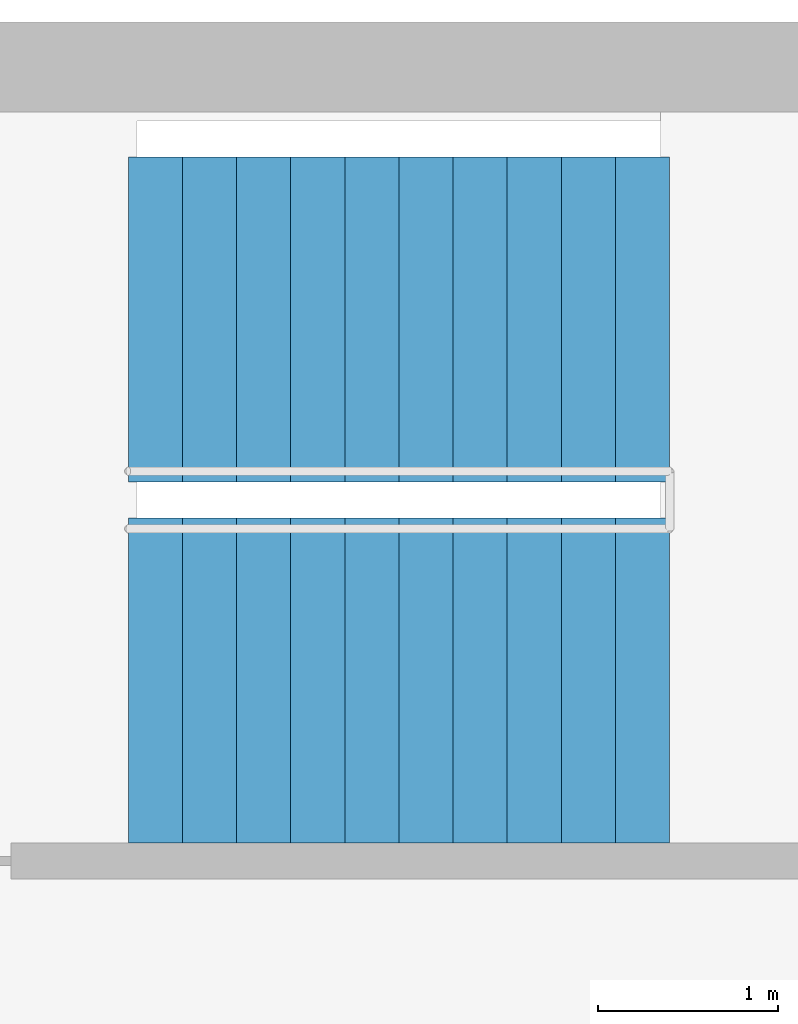
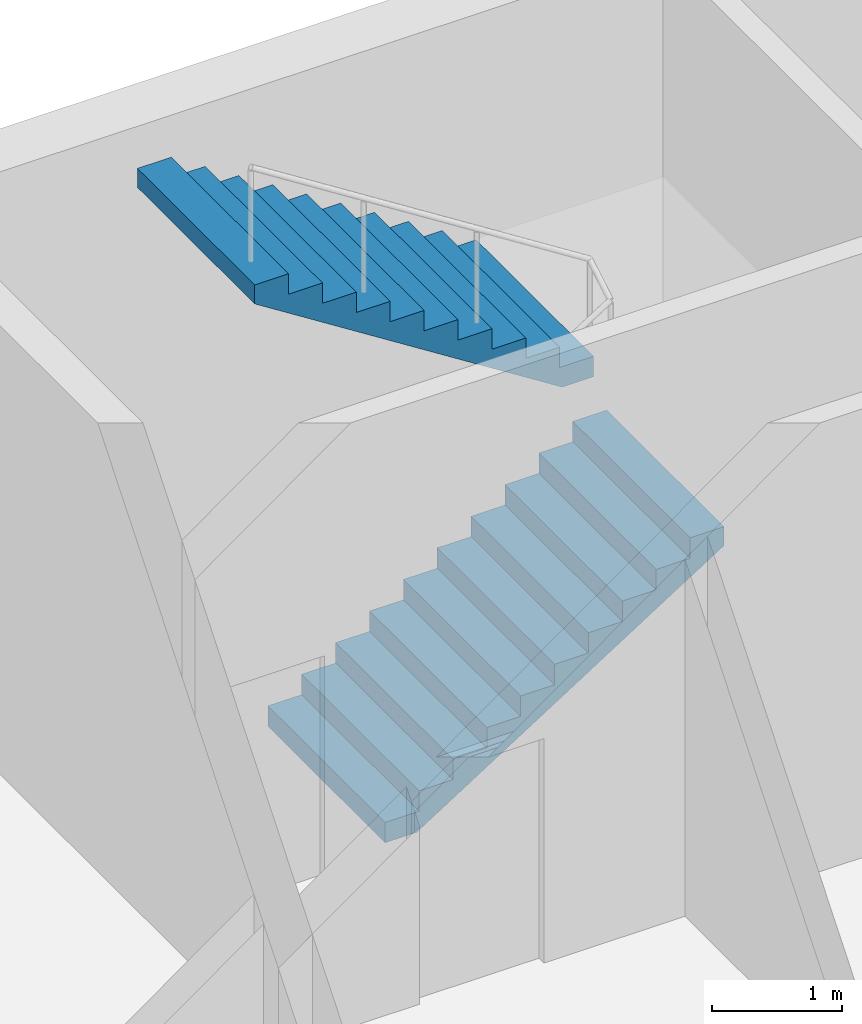
# One storey, part 13 of 16: 2 stair flights, 1 element without a shape of its own.
"""IFC4 building model written with IfcOpenShell, lengths in metres."""

from ifc_helpers import new_model, si_unit, direction, frame, origin, place, context, subcontext, project, spatial, polyline, outline, extrude, material, type_object, element, aggregate, save


model = new_model("IFC4")

# Units and contexts
model_context = context("Model", 3, precision=1e-05, world=origin(), true_north=direction((0.0, 1.0)))
body_context = subcontext(model_context, "Body", "Model", "MODEL_VIEW")
ifc_project = project(units=[si_unit("LENGTHUNIT", "METRE"), si_unit("AREAUNIT", "SQUARE_METRE"), si_unit("VOLUMEUNIT", "CUBIC_METRE"), si_unit("PLANEANGLEUNIT", "RADIAN"), si_unit("MASSUNIT", "GRAM", prefix="KILO")], contexts=[model_context])

# Site, building, storey
site_placement = place(None, origin())
site = spatial("IfcSite", under=ifc_project, at=site_placement, CompositionType="ELEMENT")
building_placement = place(site_placement, origin())
building = spatial("IfcBuilding", under=site, at=building_placement, Name="Crosswind Convention Tower", CompositionType="ELEMENT")
storey_placement = place(building_placement, frame((0.0, 0.0, 249.300048828125)))
storey = spatial("IfcBuildingStorey", under=building, at=storey_placement, Name="L53", CompositionType="ELEMENT", Elevation=249.300048828125)

# Stair, stair flights
ifc_material = material(Name="Concrete C40/50", Category="concrete")
stair_type = type_object("IfcStairType", Name="Exit stair 1800 wide, 2 flights of 11 risers", PredefinedType="HALF_TURN_STAIR", material=ifc_material)
stair_placement = place(storey_placement, origin())
stair = element("IfcStair", 1, at=stair_placement, inside=storey, type_object=stair_type, Name="Exit stair ST1 L53", ObjectType="ST5", PredefinedType="HALF_TURN_STAIR")
stair_flight_type = type_object("IfcStairFlightType", Name="Stair flight 1800 wide, 11 risers (SF4)", PredefinedType="STRAIGHT", material=ifc_material)
stair_flight_1_placement = place(storey_placement, frame((139.10009765625, 108.60009765625, 0.0), z_axis=(0.0, 0.0, 1.0), x_axis=(1.0, 0.0, 0.0)))
stair_flight_1 = element("IfcStairFlight", 2, at=stair_flight_1_placement, type_object=stair_flight_type, Name="ST1 flight 1", NumberOfRisers=11, NumberOfTreads=10, PredefinedType="STRAIGHT", RiserHeight=0.190909091, TreadLength=0.3, context=body_context, shape_type="SweptSolid", body=[
    extrude(outline(polyline([(0.0, 0.0), (0.0, 0.19091796875), (0.300048828125, 0.19091796875), (0.300048828125, 0.3818359375), (0.60009765625, 0.3818359375), (0.60009765625, 0.57275390625), (0.89990234375, 0.57275390625), (0.89990234375, 0.763671875), (1.199951171875, 0.763671875), (1.199951171875, 0.95458984375), (1.5, 0.95458984375), (1.5, 1.1455078125), (1.800048828125, 1.1455078125), (1.800048828125, 1.33642578125), (2.10009765625, 1.33642578125), (2.10009765625, 1.52734375), (2.39990234375, 1.52734375), (2.39990234375, 1.71826171875), (2.699951171875, 1.71826171875), (2.699951171875, 1.9091796875), (3.0, 1.9091796875), (3.0, 2.10009765625), (3.0, 1.7314453125), (0.279296875, 0.0), (0.0, 0.0)])), frame((0.0, 0.89990234375, 0.0), z_axis=(0.0, -1.0, 0.0), x_axis=(1.0, 0.0, 0.0)), (0.0, 0.0, 1.0), 1.800048828125),
])
stair_flight_2_placement = place(storey_placement, frame((142.10009765625, 110.60009765625, 2.099853515625), z_axis=(0.0, 0.0, 1.0), x_axis=(-1.0, 0.0, 0.0)))
stair_flight_2 = element("IfcStairFlight", 3, at=stair_flight_2_placement, type_object=stair_flight_type, Name="ST1 flight 2", NumberOfRisers=11, NumberOfTreads=10, PredefinedType="STRAIGHT", RiserHeight=0.190909091, TreadLength=0.3, context=body_context, shape_type="SweptSolid", body=[
    extrude(outline(polyline([(0.0, 0.0), (0.0, 0.19091796875), (0.300048828125, 0.19091796875), (0.300048828125, 0.3818359375), (0.60009765625, 0.3818359375), (0.60009765625, 0.57275390625), (0.89990234375, 0.57275390625), (0.89990234375, 0.763671875), (1.199951171875, 0.763671875), (1.199951171875, 0.95458984375), (1.5, 0.95458984375), (1.5, 1.1455078125), (1.800048828125, 1.1455078125), (1.800048828125, 1.33642578125), (2.10009765625, 1.33642578125), (2.10009765625, 1.52734375), (2.39990234375, 1.52734375), (2.39990234375, 1.71826171875), (2.699951171875, 1.71826171875), (2.699951171875, 1.9091796875), (3.0, 1.9091796875), (3.0, 2.10009765625), (3.0, 1.7314453125), (0.279296875, 0.0), (0.0, 0.0)])), frame((0.0, 0.89990234375, 0.0), z_axis=(0.0, -1.0, 0.0), x_axis=(1.0, 0.0, 0.0)), (0.0, 0.0, 1.0), 1.800048828125),
])
aggregate(stair, [stair_flight_1, stair_flight_2])

save(model, "model.ifc")
